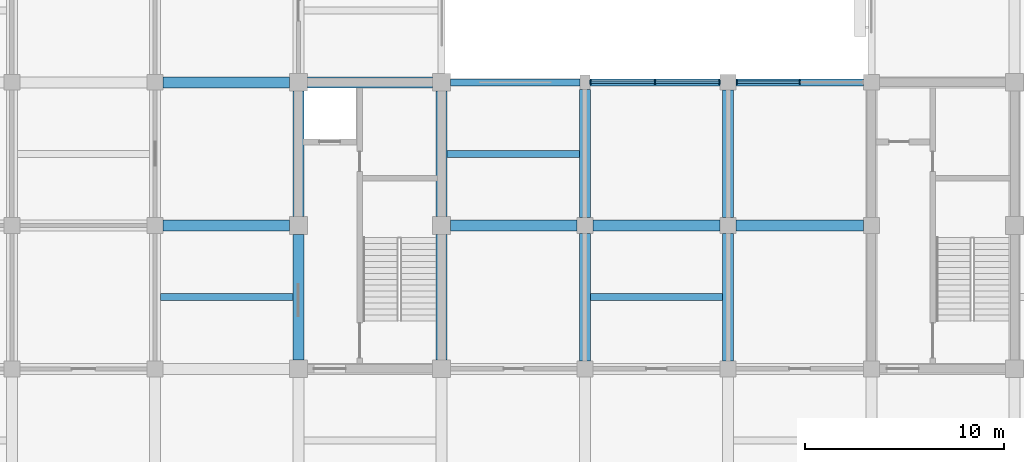
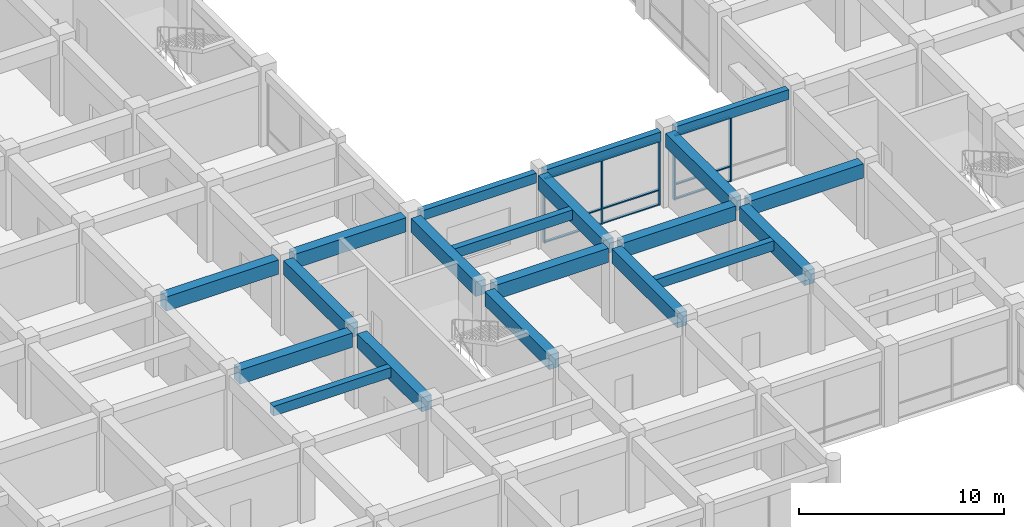
# One storey, part 13 of 75: 20 beams, 14 members, 2 elements without a shape of their own.
"""IFC4 building model written with IfcOpenShell, lengths in metres."""

from ifc_helpers import new_model, si_unit, direction, frame, origin, origin_2d, place, context, subcontext, project, spatial, rectangle, extrude, material, layer, layer_set, material_profile, profile_set, type_object, element, aggregate, save


model = new_model("IFC4")

# Units and contexts
model_context = context("Model", 3, precision=1e-05, world=origin(), true_north=direction((0.0, 1.0)))
body_context = subcontext(model_context, "Body", "Model", "MODEL_VIEW")
ifc_project = project(units=[si_unit("LENGTHUNIT", "METRE"), si_unit("AREAUNIT", "SQUARE_METRE"), si_unit("VOLUMEUNIT", "CUBIC_METRE"), si_unit("PLANEANGLEUNIT", "RADIAN"), si_unit("MASSUNIT", "GRAM", prefix="KILO")], contexts=[model_context])

# Site, building, storey
site_placement = place(None, origin())
site = spatial("IfcSite", under=ifc_project, at=site_placement, CompositionType="ELEMENT")
building_placement = place(site_placement, origin())
building = spatial("IfcBuilding", under=site, at=building_placement, Name="Cendaluz Park School", CompositionType="ELEMENT")
storey_placement = place(building_placement, frame((0.0, 0.0, 4.800048828125)))
storey = spatial("IfcBuildingStorey", under=building, at=storey_placement, Name="L01", CompositionType="ELEMENT", Elevation=4.800048828125)

# Beams
ifc_material_1 = material(Name="Concrete C40/50", Category="concrete")
ifc_material_profile_1 = material_profile(ifc_material_1, rectangle(XDim=0.550048828125, YDim=0.85009765625, at=origin_2d()), Name="RC 550x850", Category="concrete")
ifc_profile_set_1 = profile_set([ifc_material_profile_1], Name="Concrete C40/50")
beam_type_1 = type_object("IfcBeamType", Name="BM-RC01", PredefinedType="BEAM", material=ifc_profile_set_1)
for number, where, z_axis, x_axis, name in (
    (1, (94.0, 21.60009765625, 4.0048828125), (1.0, 0.0, 0.0), (0.0, 1.0, 0.0), "BM-L01-BMRC01-0127"),
    (2, (94.0, 28.800048828125, 4.0048828125), (1.0, 0.0, 0.0), (0.0, 1.0, 0.0), "BM-L01-BMRC01-0128"),
):
    element("IfcBeam", number, at=place(storey_placement, frame(where, z_axis=z_axis, x_axis=x_axis)), inside=storey, type_object=beam_type_1, Name=name, PredefinedType="BEAM", context=body_context, shape_type="SweptSolid", body=[
        extrude(rectangle(XDim=0.550048828125, YDim=0.85009765625, at=origin_2d()), origin(), (0.0, 0.0, 1.0), 6.35009765625),
    ])
beam_1_placement = place(storey_placement, frame((101.25, 28.800048828125, 4.0048828125), z_axis=(1.0, 0.0, 0.0), x_axis=(0.0, 1.0, 0.0)))
element("IfcBeam", 3, at=beam_1_placement, inside=storey, type_object=beam_type_1, Name="BM-L01-BMRC01-0138", PredefinedType="BEAM", context=body_context, shape_type="SweptSolid", body=[
    extrude(rectangle(XDim=0.550048828125, YDim=0.85009765625, at=origin_2d()), origin(), (0.0, 0.0, 1.0), 6.300048828125),
])
beam_2_placement = place(storey_placement, frame((108.449951171875, 21.60009765625, 4.0048828125), z_axis=(1.0, 0.0, 0.0), x_axis=(0.0, 1.0, 0.0)))
element("IfcBeam", 4, at=beam_2_placement, inside=storey, type_object=beam_type_1, Name="BM-L01-BMRC01-0147", PredefinedType="BEAM", context=body_context, shape_type="SweptSolid", body=[
    extrude(rectangle(XDim=0.550048828125, YDim=0.85009765625, at=origin_2d()), origin(), (0.0, 0.0, 1.0), 6.35009765625),
])
for number, where, z_axis, x_axis, name in (
    (5, (115.60009765625, 21.60009765625, 4.0048828125), (1.0, 0.0, 0.0), (0.0, 1.0, 0.0), "BM-L01-BMRC01-0151"),
    (6, (122.800048828125, 21.60009765625, 4.0048828125), (1.0, 0.0, 0.0), (0.0, 1.0, 0.0), "BM-L01-BMRC01-0155"),
):
    element("IfcBeam", number, at=place(storey_placement, frame(where, z_axis=z_axis, x_axis=x_axis)), inside=storey, type_object=beam_type_1, Name=name, PredefinedType="BEAM", context=body_context, shape_type="SweptSolid", body=[
        extrude(rectangle(XDim=0.550048828125, YDim=0.85009765625, at=origin_2d()), origin(), (0.0, 0.0, 1.0), 6.39990234375),
    ])
beam_3_placement = place(storey_placement, frame((100.800048828125, 14.85009765625, 4.0048828125), z_axis=(0.0, 1.0, 0.0), x_axis=(-1.0, 0.0, 0.0)))
element("IfcBeam", 7, at=beam_3_placement, inside=storey, type_object=beam_type_1, Name="BM-L01-BMRC01-0362", PredefinedType="BEAM", context=body_context, shape_type="SweptSolid", body=[
    extrude(rectangle(XDim=0.550048828125, YDim=0.85009765625, at=origin_2d()), origin(), (0.0, 0.0, 1.0), 6.2998046875),
])
beam_4_placement = place(storey_placement, frame((100.800048828125, 22.050048828125, 4.0048828125), z_axis=(0.0, 1.0, 0.0), x_axis=(-1.0, 0.0, 0.0)))
element("IfcBeam", 8, at=beam_4_placement, inside=storey, type_object=beam_type_1, Name="BM-L01-BMRC01-0363", PredefinedType="BEAM", context=body_context, shape_type="SweptSolid", body=[
    extrude(rectangle(XDim=0.550048828125, YDim=0.85009765625, at=origin_2d()), origin(), (0.0, 0.0, 1.0), 6.300048828125),
])
beam_5_placement = place(storey_placement, frame((108.0, 14.85009765625, 4.0048828125), z_axis=(0.0, 1.0, 0.0), x_axis=(-1.0, 0.0, 0.0)))
element("IfcBeam", 9, at=beam_5_placement, inside=storey, type_object=beam_type_1, Name="BM-L01-BMRC01-0372", PredefinedType="BEAM", context=body_context, shape_type="SweptSolid", body=[
    extrude(rectangle(XDim=0.550048828125, YDim=0.85009765625, at=origin_2d()), origin(), (0.0, 0.0, 1.0), 6.2998046875),
])
beam_6_placement = place(storey_placement, frame((108.0, 22.050048828125, 4.0048828125), z_axis=(0.0, 1.0, 0.0), x_axis=(-1.0, 0.0, 0.0)))
element("IfcBeam", 10, at=beam_6_placement, inside=storey, type_object=beam_type_1, Name="BM-L01-BMRC01-0373", PredefinedType="BEAM", context=body_context, shape_type="SweptSolid", body=[
    extrude(rectangle(XDim=0.550048828125, YDim=0.85009765625, at=origin_2d()), origin(), (0.0, 0.0, 1.0), 6.300048828125),
])
beam_7_placement = place(storey_placement, frame((115.199951171875, 14.800048828125, 4.0048828125), z_axis=(0.0, 1.0, 0.0), x_axis=(-1.0, 0.0, 0.0)))
element("IfcBeam", 11, at=beam_7_placement, inside=storey, type_object=beam_type_1, Name="BM-L01-BMRC01-0382", PredefinedType="BEAM", context=body_context, shape_type="SweptSolid", body=[
    extrude(rectangle(XDim=0.550048828125, YDim=0.85009765625, at=origin_2d()), origin(), (0.0, 0.0, 1.0), 6.39990234375),
])
beam_8_placement = place(storey_placement, frame((115.199951171875, 22.0, 4.0048828125), z_axis=(0.0, 1.0, 0.0), x_axis=(-1.0, 0.0, 0.0)))
element("IfcBeam", 12, at=beam_8_placement, inside=storey, type_object=beam_type_1, Name="BM-L01-BMRC01-0383", PredefinedType="BEAM", context=body_context, shape_type="SweptSolid", body=[
    extrude(rectangle(XDim=0.550048828125, YDim=0.85009765625, at=origin_2d()), origin(), (0.0, 0.0, 1.0), 6.425048828125),
])
for number, where, z_axis, x_axis, name in (
    (13, (122.39990234375, 14.800048828125, 4.0048828125), (0.0, 1.0, 0.0), (-1.0, 0.0, 0.0), "BM-L01-BMRC01-0385"),
    (14, (122.39990234375, 22.0, 4.0048828125), (0.0, 1.0, 0.0), (-1.0, 0.0, 0.0), "BM-L01-BMRC01-0386"),
):
    element("IfcBeam", number, at=place(storey_placement, frame(where, z_axis=z_axis, x_axis=x_axis)), inside=storey, type_object=beam_type_1, Name=name, PredefinedType="BEAM", context=body_context, shape_type="SweptSolid", body=[
        extrude(rectangle(XDim=0.550048828125, YDim=0.85009765625, at=origin_2d()), origin(), (0.0, 0.0, 1.0), 6.39990234375),
    ])
ifc_material_profile_2 = material_profile(ifc_material_1, rectangle(XDim=0.35009765625, YDim=0.580078125, at=origin_2d()), Name="RC 350x580", Category="concrete")
ifc_profile_set_2 = profile_set([ifc_material_profile_2], Name="Concrete C40/50")
beam_type_2 = type_object("IfcBeamType", Name="BM-RC04", PredefinedType="LINTEL", material=ifc_profile_set_2)
beam_9_placement = place(storey_placement, frame((108.449951171875, 28.800048828125, 4.139892578125), z_axis=(1.0, 0.0, 0.0), x_axis=(0.0, 1.0, 0.0)))
element("IfcBeam", 15, at=beam_9_placement, inside=storey, type_object=beam_type_2, Name="BM-L01-BMRC04-0148", PredefinedType="LINTEL", context=body_context, shape_type="SweptSolid", body=[
    extrude(rectangle(XDim=0.35009765625, YDim=0.580078125, at=origin_2d()), origin(), (0.0, 0.0, 1.0), 6.5),
])
beam_10_placement = place(storey_placement, frame((115.449951171875, 28.800048828125, 4.139892578125), z_axis=(1.0, 0.0, 0.0), x_axis=(0.0, 1.0, 0.0)))
element("IfcBeam", 16, at=beam_10_placement, inside=storey, type_object=beam_type_2, Name="BM-L01-BMRC04-0152", PredefinedType="LINTEL", context=body_context, shape_type="SweptSolid", body=[
    extrude(rectangle(XDim=0.35009765625, YDim=0.580078125, at=origin_2d()), origin(), (0.0, 0.0, 1.0), 6.550048828125),
])
beam_11_placement = place(storey_placement, frame((122.800048828125, 28.800048828125, 4.139892578125), z_axis=(1.0, 0.0, 0.0), x_axis=(0.0, 1.0, 0.0)))
element("IfcBeam", 17, at=beam_11_placement, inside=storey, type_object=beam_type_2, Name="BM-L01-BMRC04-0156", PredefinedType="LINTEL", context=body_context, shape_type="SweptSolid", body=[
    extrude(rectangle(XDim=0.35009765625, YDim=0.580078125, at=origin_2d()), origin(), (0.0, 0.0, 1.0), 6.39990234375),
])

# Curtain wall, members
ifc_material_2 = material(Name="Anodised Aluminium 6063-T6", Category="aluminium")
ifc_layer_1 = layer(ifc_material_2, 0.179931640625)
ifc_layer_set_1 = layer_set([ifc_layer_1], Name="Anodised Aluminium 6063-T6")
curtain_wall_type_1 = type_object("IfcCurtainWallType", Name="CW-131x77", PredefinedType="NOTDEFINED", material=ifc_layer_set_1)
curtain_wall_1_placement = place(storey_placement, origin())
curtain_wall_1 = element("IfcCurtainWall", 18, at=curtain_wall_1_placement, inside=storey, type_object=curtain_wall_type_1, Name="CW-L01-055", PredefinedType="NOTDEFINED")
ifc_material_profile_3 = material_profile(ifc_material_2, rectangle(XDim=0.179931640625, YDim=0.070068359375, at=origin_2d()), Name="CWM 180x70", Category="aluminium")
ifc_profile_set_3 = profile_set([ifc_material_profile_3], Name="Anodised Aluminium 6063-T6")
member_type_1 = type_object("IfcMemberType", Name="CWM-01", PredefinedType="MULLION", material=ifc_profile_set_3)
member_1_placement = place(storey_placement, frame((115.485107421875, 28.800048828125, 0.0), z_axis=(0.0, 0.0, 1.0), x_axis=(0.0, 1.0, 0.0)))
member_1 = element("IfcMember", 19, at=member_1_placement, type_object=member_type_1, Name="CP-L01-0703", PredefinedType="MULLION", context=body_context, shape_type="SweptSolid", body=[
    extrude(rectangle(XDim=0.179931640625, YDim=0.070068359375, at=origin_2d()), origin(), (0.0, 0.0, 1.0), 3.849853515625),
])
member_2_placement = place(storey_placement, frame((118.72509765625, 28.800048828125, 0.0), z_axis=(0.0, 0.0, 1.0), x_axis=(0.0, 1.0, 0.0)))
member_2 = element("IfcMember", 20, at=member_2_placement, type_object=member_type_1, Name="CP-L01-0704", PredefinedType="MULLION", context=body_context, shape_type="SweptSolid", body=[
    extrude(rectangle(XDim=0.179931640625, YDim=0.070068359375, at=origin_2d()), origin(), (0.0, 0.0, 1.0), 3.849853515625),
])
member_3_placement = place(storey_placement, frame((121.965087890625, 28.800048828125, 0.0), z_axis=(0.0, 0.0, 1.0), x_axis=(0.0, 1.0, 0.0)))
member_3 = element("IfcMember", 21, at=member_3_placement, type_object=member_type_1, Name="CP-L01-0705", PredefinedType="MULLION", context=body_context, shape_type="SweptSolid", body=[
    extrude(rectangle(XDim=0.179931640625, YDim=0.070068359375, at=origin_2d()), origin(), (0.0, 0.0, 1.0), 3.849853515625),
])

ifc_layer_2 = layer(ifc_material_2, 0.179931640625)
ifc_layer_set_2 = layer_set([ifc_layer_2], Name="Anodised Aluminium 6063-T6")
curtain_wall_type_2 = type_object("IfcCurtainWallType", Name="CW-128x77", PredefinedType="NOTDEFINED", material=ifc_layer_set_2)
curtain_wall_2_placement = place(storey_placement, origin())
curtain_wall_2 = element("IfcCurtainWall", 22, at=curtain_wall_2_placement, inside=storey, type_object=curtain_wall_type_2, Name="CW-L01-057", PredefinedType="NOTDEFINED")
member_4_placement = place(storey_placement, frame((122.8349609375, 28.800048828125, 0.0), z_axis=(0.0, 0.0, 1.0), x_axis=(0.0, 1.0, 0.0)))
member_4 = element("IfcMember", 23, at=member_4_placement, type_object=member_type_1, Name="CP-L01-0729", PredefinedType="MULLION", context=body_context, shape_type="SweptSolid", body=[
    extrude(rectangle(XDim=0.179931640625, YDim=0.070068359375, at=origin_2d()), origin(), (0.0, 0.0, 1.0), 3.849853515625),
])
member_5_placement = place(storey_placement, frame((126.0, 28.800048828125, 0.0), z_axis=(0.0, 0.0, 1.0), x_axis=(0.0, 1.0, 0.0)))
member_5 = element("IfcMember", 24, at=member_5_placement, type_object=member_type_1, Name="CP-L01-0730", PredefinedType="MULLION", context=body_context, shape_type="SweptSolid", body=[
    extrude(rectangle(XDim=0.179931640625, YDim=0.070068359375, at=origin_2d()), origin(), (0.0, 0.0, 1.0), 3.849853515625),
])

# Member
ifc_material_profile_4 = material_profile(ifc_material_2, rectangle(XDim=0.139892578125, YDim=0.070068359375, at=origin_2d()), Name="CWT 140x70", Category="aluminium")
ifc_profile_set_4 = profile_set([ifc_material_profile_4], Name="Anodised Aluminium 6063-T6")
member_type_2 = type_object("IfcMemberType", Name="CWT-01", PredefinedType="USERDEFINED", material=ifc_profile_set_4)
member_6_placement = place(storey_placement, frame((115.52001953125, 28.800048828125, 0.034912109375), z_axis=(1.0, 0.0, 0.0), x_axis=(0.0, 1.0, 0.0)))
member_6 = element("IfcMember", 25, at=member_6_placement, type_object=member_type_2, Name="CP-L01-0706", ObjectType="TRANSOM", PredefinedType="USERDEFINED", context=body_context, shape_type="SweptSolid", body=[
    extrude(rectangle(XDim=0.139892578125, YDim=0.070068359375, at=origin_2d()), origin(), (0.0, 0.0, 1.0), 3.169921875),
])

member_7_placement = place(storey_placement, frame((115.52001953125, 28.800048828125, 0.89990234375), z_axis=(1.0, 0.0, 0.0), x_axis=(0.0, 1.0, 0.0)))
member_7 = element("IfcMember", 26, at=member_7_placement, type_object=member_type_2, Name="CP-L01-0707", ObjectType="TRANSOM", PredefinedType="USERDEFINED", context=body_context, shape_type="SweptSolid", body=[
    extrude(rectangle(XDim=0.139892578125, YDim=0.070068359375, at=origin_2d()), origin(), (0.0, 0.0, 1.0), 3.169921875),
])

member_8_placement = place(storey_placement, frame((115.52001953125, 28.800048828125, 3.81494140625), z_axis=(1.0, 0.0, 0.0), x_axis=(0.0, 1.0, 0.0)))
member_8 = element("IfcMember", 27, at=member_8_placement, type_object=member_type_2, Name="CP-L01-0708", ObjectType="TRANSOM", PredefinedType="USERDEFINED", context=body_context, shape_type="SweptSolid", body=[
    extrude(rectangle(XDim=0.139892578125, YDim=0.070068359375, at=origin_2d()), origin(), (0.0, 0.0, 1.0), 3.169921875),
])

member_9_placement = place(storey_placement, frame((118.760009765625, 28.800048828125, 0.034912109375), z_axis=(1.0, 0.0, 0.0), x_axis=(0.0, 1.0, 0.0)))
member_9 = element("IfcMember", 28, at=member_9_placement, type_object=member_type_2, Name="CP-L01-0711", ObjectType="TRANSOM", PredefinedType="USERDEFINED", context=body_context, shape_type="SweptSolid", body=[
    extrude(rectangle(XDim=0.139892578125, YDim=0.070068359375, at=origin_2d()), origin(), (0.0, 0.0, 1.0), 3.169921875),
])

member_10_placement = place(storey_placement, frame((118.760009765625, 28.800048828125, 0.89990234375), z_axis=(1.0, 0.0, 0.0), x_axis=(0.0, 1.0, 0.0)))
member_10 = element("IfcMember", 29, at=member_10_placement, type_object=member_type_2, Name="CP-L01-0712", ObjectType="TRANSOM", PredefinedType="USERDEFINED", context=body_context, shape_type="SweptSolid", body=[
    extrude(rectangle(XDim=0.139892578125, YDim=0.070068359375, at=origin_2d()), origin(), (0.0, 0.0, 1.0), 3.169921875),
])

member_11_placement = place(storey_placement, frame((118.760009765625, 28.800048828125, 3.81494140625), z_axis=(1.0, 0.0, 0.0), x_axis=(0.0, 1.0, 0.0)))
member_11 = element("IfcMember", 30, at=member_11_placement, type_object=member_type_2, Name="CP-L01-0713", ObjectType="TRANSOM", PredefinedType="USERDEFINED", context=body_context, shape_type="SweptSolid", body=[
    extrude(rectangle(XDim=0.139892578125, YDim=0.070068359375, at=origin_2d()), origin(), (0.0, 0.0, 1.0), 3.169921875),
])

aggregate(curtain_wall_1, [member_1, member_2, member_3, member_6, member_7, member_8, member_9, member_10, member_11])

member_12_placement = place(storey_placement, frame((122.8701171875, 28.800048828125, 0.034912109375), z_axis=(1.0, 0.0, 0.0), x_axis=(0.0, 1.0, 0.0)))
member_12 = element("IfcMember", 31, at=member_12_placement, type_object=member_type_2, Name="CP-L01-0732", ObjectType="TRANSOM", PredefinedType="USERDEFINED", context=body_context, shape_type="SweptSolid", body=[
    extrude(rectangle(XDim=0.139892578125, YDim=0.070068359375, at=origin_2d()), origin(), (0.0, 0.0, 1.0), 3.094970703125),
])

member_13_placement = place(storey_placement, frame((122.8701171875, 28.800048828125, 0.89990234375), z_axis=(1.0, 0.0, 0.0), x_axis=(0.0, 1.0, 0.0)))
member_13 = element("IfcMember", 32, at=member_13_placement, type_object=member_type_2, Name="CP-L01-0733", ObjectType="TRANSOM", PredefinedType="USERDEFINED", context=body_context, shape_type="SweptSolid", body=[
    extrude(rectangle(XDim=0.139892578125, YDim=0.070068359375, at=origin_2d()), origin(), (0.0, 0.0, 1.0), 3.094970703125),
])

member_14_placement = place(storey_placement, frame((122.8701171875, 28.800048828125, 3.81494140625), z_axis=(1.0, 0.0, 0.0), x_axis=(0.0, 1.0, 0.0)))
member_14 = element("IfcMember", 33, at=member_14_placement, type_object=member_type_2, Name="CP-L01-0734", ObjectType="TRANSOM", PredefinedType="USERDEFINED", context=body_context, shape_type="SweptSolid", body=[
    extrude(rectangle(XDim=0.139892578125, YDim=0.070068359375, at=origin_2d()), origin(), (0.0, 0.0, 1.0), 3.094970703125),
])

aggregate(curtain_wall_2, [member_4, member_5, member_12, member_13, member_14])

# Beams
ifc_material_profile_5 = material_profile(ifc_material_1, rectangle(XDim=0.35009765625, YDim=0.580078125, at=origin_2d()), Name="RC 350x580", Category="concrete")
ifc_profile_set_5 = profile_set([ifc_material_profile_5], Name="Concrete C40/50")
beam_type_3 = type_object("IfcBeamType", Name="JT-RC01", PredefinedType="JOIST", material=ifc_profile_set_5)
beam_12_placement = place(storey_placement, frame((93.875, 18.0, 4.139892578125), z_axis=(1.0, 0.0, 0.0), x_axis=(0.0, 1.0, 0.0)))
element("IfcBeam", 34, at=beam_12_placement, inside=storey, type_object=beam_type_3, Name="BM-L01-JTRC01-0499", PredefinedType="JOIST", context=body_context, shape_type="SweptSolid", body=[
    extrude(rectangle(XDim=0.35009765625, YDim=0.580078125, at=origin_2d()), origin(), (0.0, 0.0, 1.0), 6.64990234375),
])
beam_13_placement = place(storey_placement, frame((108.27490234375, 25.199951171875, 4.139892578125), z_axis=(1.0, 0.0, 0.0), x_axis=(0.0, 1.0, 0.0)))
element("IfcBeam", 35, at=beam_13_placement, inside=storey, type_object=beam_type_3, Name="BM-L01-JTRC01-0505", PredefinedType="JOIST", context=body_context, shape_type="SweptSolid", body=[
    extrude(rectangle(XDim=0.35009765625, YDim=0.580078125, at=origin_2d()), origin(), (0.0, 0.0, 1.0), 6.650146484375),
])
beam_14_placement = place(storey_placement, frame((115.47509765625, 18.0, 4.139892578125), z_axis=(1.0, 0.0, 0.0), x_axis=(0.0, 1.0, 0.0)))
element("IfcBeam", 36, at=beam_14_placement, inside=storey, type_object=beam_type_3, Name="BM-L01-JTRC01-0506", PredefinedType="JOIST", context=body_context, shape_type="SweptSolid", body=[
    extrude(rectangle(XDim=0.35009765625, YDim=0.580078125, at=origin_2d()), origin(), (0.0, 0.0, 1.0), 6.64990234375),
])

save(model, "model.ifc")
